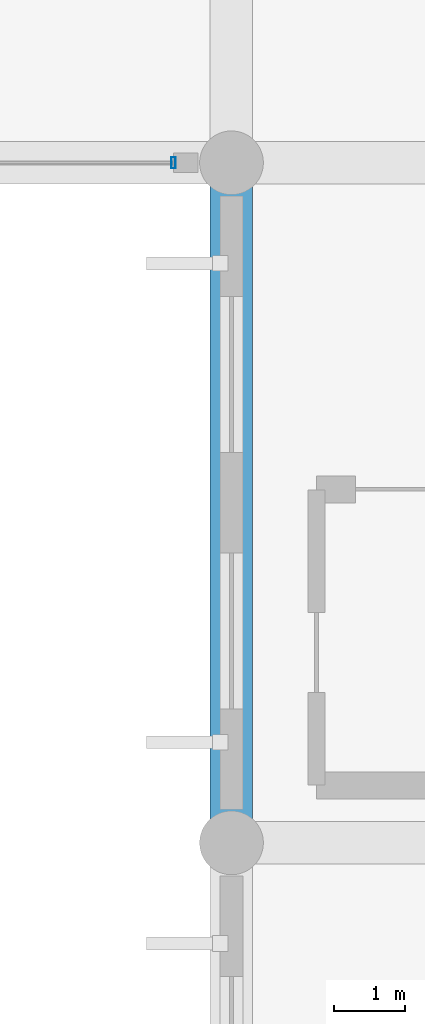
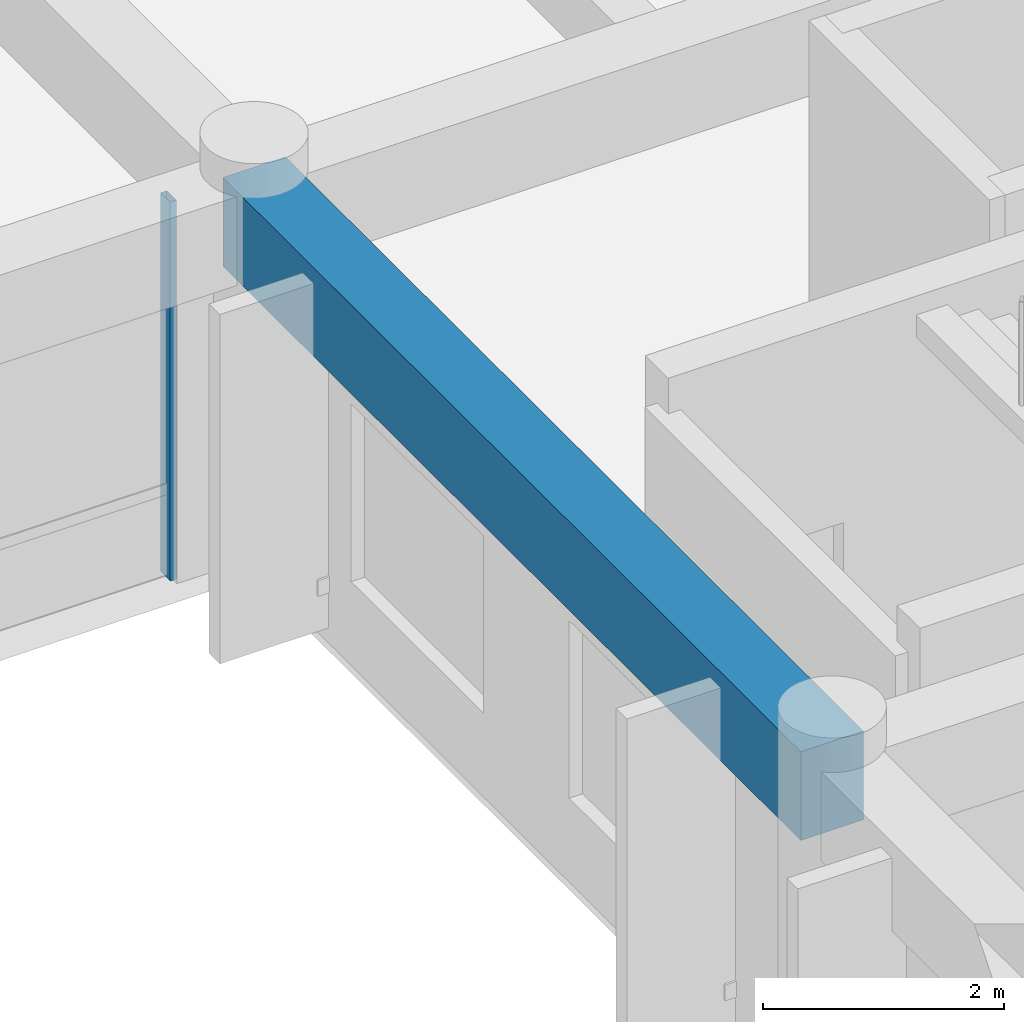
# One storey, part 14 of 98: 1 beam, 1 member, 1 element without a shape of its own.
"""IFC4 building model written with IfcOpenShell, lengths in metres."""

from ifc_helpers import new_model, si_unit, direction, frame, origin, origin_2d, place, context, subcontext, project, spatial, rectangle, hollow_rectangle, extrude, material, material_profile, profile_set, type_object, element, aggregate, save


model = new_model("IFC4")

# Units and contexts
model_context = context("Model", 3, precision=1e-05, world=origin(), true_north=direction((0.0, 1.0)))
body_context = subcontext(model_context, "Body", "Model", "MODEL_VIEW")
ifc_project = project(units=[si_unit("LENGTHUNIT", "METRE"), si_unit("AREAUNIT", "SQUARE_METRE"), si_unit("VOLUMEUNIT", "CUBIC_METRE"), si_unit("PLANEANGLEUNIT", "RADIAN"), si_unit("MASSUNIT", "GRAM", prefix="KILO")], contexts=[model_context])

# Site, building, storey
site_placement = place(None, origin())
site = spatial("IfcSite", under=ifc_project, at=site_placement, CompositionType="ELEMENT")
building_placement = place(site_placement, origin())
building = spatial("IfcBuilding", under=site, at=building_placement, Name="Ologun Quay Terminus", CompositionType="ELEMENT")
storey_placement = place(building_placement, frame((0.0, 0.0, 4.199951171875)))
storey = spatial("IfcBuildingStorey", under=building, at=storey_placement, Name="L01", CompositionType="ELEMENT", Elevation=4.199951171875)

# Curtain wall, member
ifc_material_1 = material(Name="Aluminium 6063-T6", Category="aluminium")
curtain_wall_type = type_object("IfcCurtainWallType", Name="Forecourt Mezzanine Curtain Wall 10700x3850", PredefinedType="USERDEFINED", material=ifc_material_1)
curtain_wall_placement = place(storey_placement, origin())
curtain_wall = element("IfcCurtainWall", 1, at=curtain_wall_placement, inside=storey, type_object=curtain_wall_type, Name="CW-04 Curtain Wall CW-L01-013", ObjectType="UNITISED CURTAIN WALL", PredefinedType="USERDEFINED")
ifc_material_2 = material(Name="Aluminium 6063-T6", Category="aluminium")
ifc_material_profile_1 = material_profile(ifc_material_2, hollow_rectangle(XDim=0.06005859375, YDim=0.159912109375, WallThickness=0.00390625, at=origin_2d()), Name="ALU 160x60x4")
ifc_profile_set_1 = profile_set([ifc_material_profile_1], Name="Aluminium 6063-T6")
member_type = type_object("IfcMemberType", Name="Curtain Wall Standard Mullion 160x65", PredefinedType="MULLION", material=ifc_profile_set_1)
member_placement = place(storey_placement, frame((56.679931640625, 27.199951171875, 0.0), z_axis=(0.0, 0.0, 1.0), x_axis=(1.0, 0.0, 0.0)))
member = element("IfcMember", 2, at=member_placement, type_object=member_type, Name="CW-L01-013 Mullion 4", PredefinedType="MULLION", context=body_context, shape_type="SweptSolid", body=[
    extrude(hollow_rectangle(XDim=0.06005859375, YDim=0.159912109375, WallThickness=0.00390625, at=origin_2d()), origin(), (0.0, 0.0, 1.0), 3.840087890625),
])
aggregate(curtain_wall, [member])

# Beam
ifc_material_3 = material(Name="Concrete C40/50", Category="concrete")
ifc_material_profile_2 = material_profile(ifc_material_3, rectangle(XDim=0.60009765625, YDim=0.89990234375, at=origin_2d()), Name="RC 600x900")
ifc_profile_set_2 = profile_set([ifc_material_profile_2], Name="Concrete C40/50")
beam_type = type_object("IfcBeamType", Name="Station Frame Girder 600x900", PredefinedType="BEAM", material=ifc_profile_set_2)
beam_placement = place(storey_placement, frame((57.5, 17.60009765625, 3.400146484375), z_axis=(0.0, 1.0, 0.0), x_axis=(-1.0, 0.0, 0.0)))
element("IfcBeam", 3, at=beam_placement, inside=storey, type_object=beam_type, Name="B3 Beam 6/C L01", PredefinedType="BEAM", context=body_context, shape_type="SweptSolid", body=[
    extrude(rectangle(XDim=0.60009765625, YDim=0.89990234375, at=origin_2d()), origin(), (0.0, 0.0, 1.0), 9.599853515625),
])

save(model, "model.ifc")
